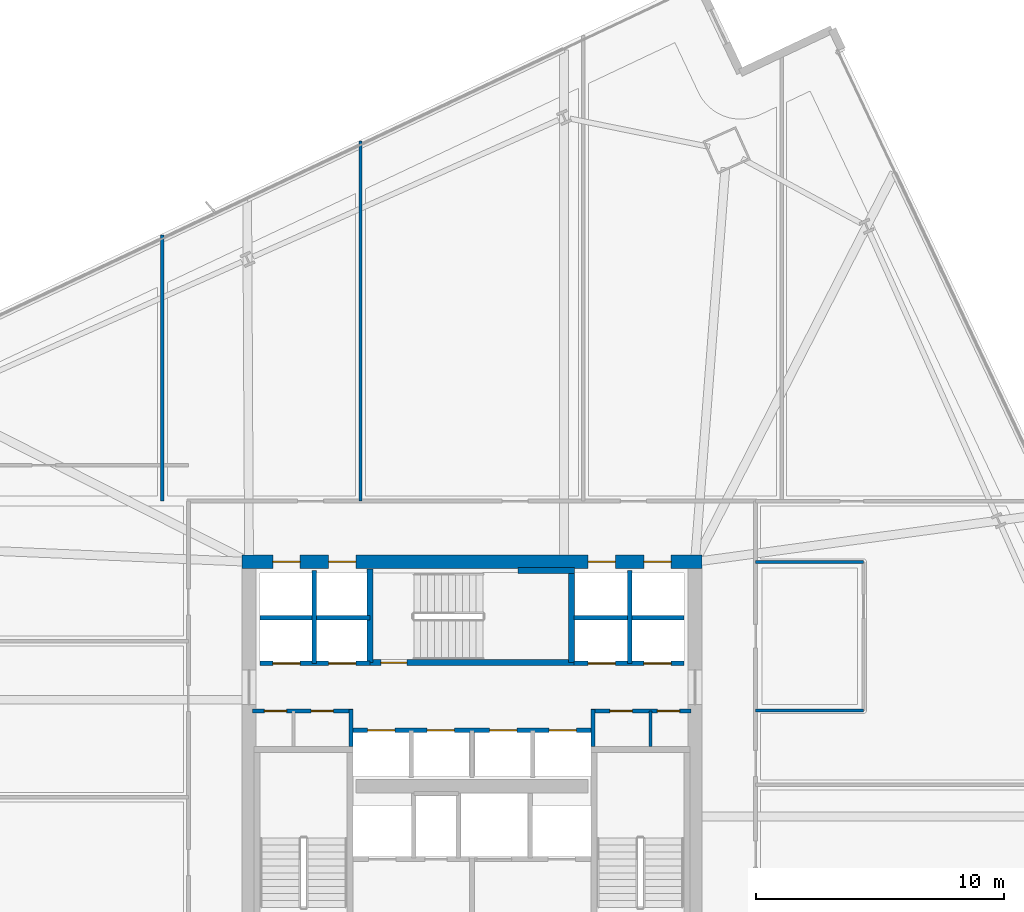
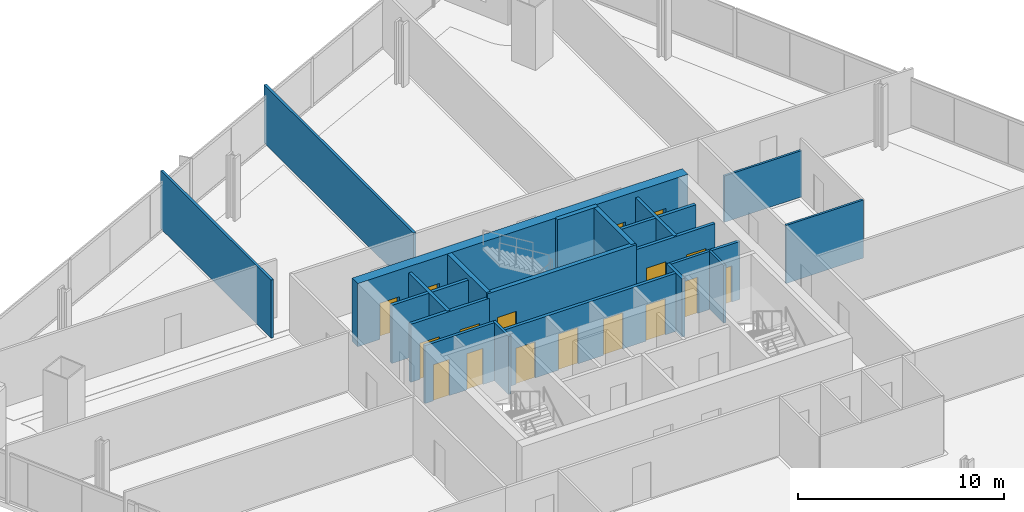
# One storey, part 27 of 34: 21 walls, 17 doors, 17 openings.
"""IFC4 building model written with IfcOpenShell, lengths in metres."""

from ifc_helpers import new_model, si_unit, direction, frame, frame_2d, origin, place, context, subcontext, project, spatial, rectangle, extrude, material, layer, layer_set, type_object, element, fill, save


model = new_model("IFC4")

# Units and contexts
model_context = context("Model", 3, precision=1e-05, world=origin(), true_north=direction((0.0, 1.0)))
body_context = subcontext(model_context, "Body", "Model", "MODEL_VIEW")
ifc_project = project(units=[si_unit("LENGTHUNIT", "METRE"), si_unit("AREAUNIT", "SQUARE_METRE"), si_unit("VOLUMEUNIT", "CUBIC_METRE"), si_unit("PLANEANGLEUNIT", "RADIAN"), si_unit("MASSUNIT", "GRAM", prefix="KILO")], contexts=[model_context])

# Site, building, storey
site_placement = place(None, origin())
site = spatial("IfcSite", under=ifc_project, at=site_placement, CompositionType="ELEMENT")
building_placement = place(site_placement, origin())
building = spatial("IfcBuilding", under=site, at=building_placement, Name="Haldenkirk Collegiate Tower", CompositionType="ELEMENT")
storey_placement = place(building_placement, frame((0.0, 0.0, 112.949951171875)))
storey = spatial("IfcBuildingStorey", under=building, at=storey_placement, Name="L27", CompositionType="ELEMENT", Elevation=112.949951171875)

# Wall, openings, doors
ifc_material_1 = material(Name="Concrete f'c 70 MPa", Category="concrete")
ifc_layer_1 = layer(ifc_material_1, 0.550048828125)
ifc_layer_set_1 = layer_set([ifc_layer_1], Name="Concrete f'c 70 MPa")
wall_type_1 = type_object("IfcWallType", Name="WL-CORE-550", PredefinedType="SHEAR", material=ifc_layer_set_1)
wall_1_placement = place(storey_placement, frame((26.72509765625, 34.0, 0.0), z_axis=(0.0, 0.0, 1.0), x_axis=(1.0, 0.0, 0.0)))
wall_1 = element("IfcWall", 1, at=wall_1_placement, inside=storey, type_object=wall_type_1, Name="L27 central core shear wall N", PredefinedType="SHEAR", context=body_context, shape_type="SweptSolid", body=[
    extrude(rectangle(XDim=18.5498046875, YDim=0.550048828125, at=frame_2d((9.27490234375, 0.0))), origin(), (0.0, 0.0, 1.0), 3.75),
])
opening_1_placement = place(wall_1_placement, frame((1.239990234375, 0.0, 0.0)))
opening_1 = element("IfcOpeningElement", 2, at=opening_1_placement, cuts=wall_1, Name="Opening LD-11", PredefinedType="OPENING", context=body_context, shape_type="SweptSolid", body=[
    extrude(rectangle(XDim=1.10009765625, YDim=2.14990234375, at=frame_2d((0.550048828125, 1.074951171875))), frame((0.0, 0.284912109375, 0.0), z_axis=(0.0, -1.0, 0.0), x_axis=(1.0, 0.0, 0.0)), (0.0, 0.0, 1.0), 0.570068359375),
])
opening_2_placement = place(wall_1_placement, frame((3.489990234375, 0.0, 0.0)))
opening_2 = element("IfcOpeningElement", 3, at=opening_2_placement, cuts=wall_1, Name="Opening LD-11", PredefinedType="OPENING", context=body_context, shape_type="SweptSolid", body=[
    extrude(rectangle(XDim=1.10009765625, YDim=2.14990234375, at=frame_2d((0.550048828125, 1.074951171875))), frame((0.0, 0.284912109375, 0.0), z_axis=(0.0, -1.0, 0.0), x_axis=(1.0, 0.0, 0.0)), (0.0, 0.0, 1.0), 0.570068359375),
])
opening_3_placement = place(wall_1_placement, frame((13.9599609375, 0.0, 0.0)))
opening_3 = element("IfcOpeningElement", 4, at=opening_3_placement, cuts=wall_1, Name="Opening LD-11", PredefinedType="OPENING", context=body_context, shape_type="SweptSolid", body=[
    extrude(rectangle(XDim=1.10009765625, YDim=2.14990234375, at=frame_2d((0.550048828125, 1.074951171875))), frame((0.0, 0.284912109375, 0.0), z_axis=(0.0, -1.0, 0.0), x_axis=(1.0, 0.0, 0.0)), (0.0, 0.0, 1.0), 0.570068359375),
])
opening_4_placement = place(wall_1_placement, frame((16.2099609375, 0.0, 0.0)))
opening_4 = element("IfcOpeningElement", 5, at=opening_4_placement, cuts=wall_1, Name="Opening LD-11", PredefinedType="OPENING", context=body_context, shape_type="SweptSolid", body=[
    extrude(rectangle(XDim=1.10009765625, YDim=2.14990234375, at=frame_2d((0.550048828125, 1.074951171875))), frame((0.0, 0.284912109375, 0.0), z_axis=(0.0, -1.0, 0.0), x_axis=(1.0, 0.0, 0.0)), (0.0, 0.0, 1.0), 0.570068359375),
])
ifc_material_2 = material(Name="Brushed architectural stainless steel", Category="steel")
ifc_layer_2 = layer(ifc_material_2, 0.06005859375)
ifc_layer_set_2 = layer_set([ifc_layer_2], Name="Brushed architectural stainless steel")
door_type_1 = type_object("IfcDoorType", Name="LD-PASS-1100", OperationType="NOTDEFINED", PredefinedType="DOOR", material=ifc_layer_set_2)
door_1_placement = place(opening_1_placement, origin())
door_1 = element("IfcDoor", 6, at=door_1_placement, inside=storey, type_object=door_type_1, Name="L27 Elevator PL3 sliding landing door", OperationType="SLIDING_TO_LEFT", OverallHeight=2.14990234375, OverallWidth=1.10009765625, PredefinedType="DOOR", context=body_context, shape_type="SweptSolid", body=[
    extrude(rectangle(XDim=1.10009765625, YDim=2.14990234375, at=frame_2d((0.550048828125, 1.074951171875))), frame((0.0, 0.02490234375, 0.0), z_axis=(0.0, -1.0, 0.0), x_axis=(1.0, 0.0, 0.0)), (0.0, 0.0, 1.0), 0.050048828125),
])
fill(opening_1, door_1)
door_2_placement = place(opening_2_placement, origin())
door_2 = element("IfcDoor", 7, at=door_2_placement, inside=storey, type_object=door_type_1, Name="L27 Elevator PL4 sliding landing door", OperationType="SLIDING_TO_LEFT", OverallHeight=2.14990234375, OverallWidth=1.10009765625, PredefinedType="DOOR", context=body_context, shape_type="SweptSolid", body=[
    extrude(rectangle(XDim=1.10009765625, YDim=2.14990234375, at=frame_2d((0.550048828125, 1.074951171875))), frame((0.0, 0.02490234375, 0.0), z_axis=(0.0, -1.0, 0.0), x_axis=(1.0, 0.0, 0.0)), (0.0, 0.0, 1.0), 0.050048828125),
])
fill(opening_2, door_2)
door_3_placement = place(opening_3_placement, origin())
door_3 = element("IfcDoor", 8, at=door_3_placement, inside=storey, type_object=door_type_1, Name="L27 Elevator PM3 sliding landing door", OperationType="SLIDING_TO_LEFT", OverallHeight=2.14990234375, OverallWidth=1.10009765625, PredefinedType="DOOR", context=body_context, shape_type="SweptSolid", body=[
    extrude(rectangle(XDim=1.10009765625, YDim=2.14990234375, at=frame_2d((0.550048828125, 1.074951171875))), frame((0.0, 0.02490234375, 0.0), z_axis=(0.0, -1.0, 0.0), x_axis=(1.0, 0.0, 0.0)), (0.0, 0.0, 1.0), 0.050048828125),
])
fill(opening_3, door_3)
door_4_placement = place(opening_4_placement, origin())
door_4 = element("IfcDoor", 9, at=door_4_placement, inside=storey, type_object=door_type_1, Name="L27 Elevator PM4 sliding landing door", OperationType="SLIDING_TO_LEFT", OverallHeight=2.14990234375, OverallWidth=1.10009765625, PredefinedType="DOOR", context=body_context, shape_type="SweptSolid", body=[
    extrude(rectangle(XDim=1.10009765625, YDim=2.14990234375, at=frame_2d((0.550048828125, 1.074951171875))), frame((0.0, 0.02490234375, 0.0), z_axis=(0.0, -1.0, 0.0), x_axis=(1.0, 0.0, 0.0)), (0.0, 0.0, 1.0), 0.050048828125),
])
fill(opening_4, door_4)

ifc_material_3 = material(Name="Acoustic fire-rated gypsum partition", Category="concrete")
ifc_layer_3 = layer(ifc_material_3, 0.159912109375)
ifc_layer_set_3 = layer_set([ifc_layer_3], Name="Acoustic fire-rated gypsum partition")
wall_type_2 = type_object("IfcWallType", Name="WL-INT-CORR-160", PredefinedType="PARTITIONING", material=ifc_layer_set_3)
wall_2_placement = place(storey_placement, frame((27.14990234375, 27.97998046875, 0.0), z_axis=(0.0, 0.0, 1.0), x_axis=(1.0, 0.0, 0.0)))
wall_2 = element("IfcWall", 10, at=wall_2_placement, inside=storey, type_object=wall_type_2, Name="L27 interior partition IW-L27-VCSW-N", PredefinedType="PARTITIONING", context=body_context, shape_type="SweptSolid", body=[
    extrude(rectangle(XDim=4.050048828125, YDim=0.159912109375, at=frame_2d((2.02490234375, 0.0))), origin(), (0.0, 0.0, 1.0), 3.449951171875),
])
opening_5_placement = place(wall_2_placement, frame((0.469970703125, 0.0, 0.0)))
opening_5 = element("IfcOpeningElement", 11, at=opening_5_placement, cuts=wall_2, Name="Opening D-11", PredefinedType="OPENING", context=body_context, shape_type="SweptSolid", body=[
    extrude(rectangle(XDim=0.89990234375, YDim=2.14990234375, at=frame_2d((0.449951171875, 1.074951171875))), frame((0.0, 0.08984375, 0.0), z_axis=(0.0, -1.0, 0.0), x_axis=(1.0, 0.0, 0.0)), (0.0, 0.0, 1.0), 0.179931640625),
])
opening_6_placement = place(wall_2_placement, frame((2.360107421875, 0.0, 0.0)))
opening_6 = element("IfcOpeningElement", 12, at=opening_6_placement, cuts=wall_2, Name="Opening D-11", PredefinedType="OPENING", context=body_context, shape_type="SweptSolid", body=[
    extrude(rectangle(XDim=0.89990234375, YDim=2.14990234375, at=frame_2d((0.449951171875, 1.074951171875))), frame((0.0, 0.08984375, 0.0), z_axis=(0.0, -1.0, 0.0), x_axis=(1.0, 0.0, 0.0)), (0.0, 0.0, 1.0), 0.179931640625),
])
ifc_material_4 = material(Name="Solid-core architectural oak fire door", Category="wood")
ifc_layer_4 = layer(ifc_material_4, 0.06005859375)
ifc_layer_set_4 = layer_set([ifc_layer_4], Name="Solid-core architectural oak fire door")
door_type_2 = type_object("IfcDoorType", Name="DR-INT-FD60-900", OperationType="NOTDEFINED", PredefinedType="DOOR", material=ifc_layer_set_4)
door_5_placement = place(opening_5_placement, origin())
door_5 = element("IfcDoor", 13, at=door_5_placement, inside=storey, type_object=door_type_2, Name="L27 core AV closet door", OperationType="SINGLE_SWING_LEFT", OverallHeight=2.14990234375, OverallWidth=0.89990234375, PredefinedType="DOOR", context=body_context, shape_type="SweptSolid", body=[
    extrude(rectangle(XDim=0.89990234375, YDim=2.14990234375, at=frame_2d((0.449951171875, 1.074951171875))), frame((0.0, 0.02490234375, 0.0), z_axis=(0.0, -1.0, 0.0), x_axis=(1.0, 0.0, 0.0)), (0.0, 0.0, 1.0), 0.050048828125),
])
fill(opening_5, door_5)
door_6_placement = place(opening_6_placement, origin())
door_6 = element("IfcDoor", 14, at=door_6_placement, inside=storey, type_object=door_type_2, Name="L27 core supply closet door", OperationType="SINGLE_SWING_RIGHT", OverallHeight=2.14990234375, OverallWidth=0.89990234375, PredefinedType="DOOR", context=body_context, shape_type="SweptSolid", body=[
    extrude(rectangle(XDim=0.89990234375, YDim=2.14990234375, at=frame_2d((0.449951171875, 1.074951171875))), frame((0.0, 0.02490234375, 0.0), z_axis=(0.0, -1.0, 0.0), x_axis=(1.0, 0.0, 0.0)), (0.0, 0.0, 1.0), 0.050048828125),
])
fill(opening_6, door_6)

# Wall
wall_3_placement = place(storey_placement, frame((31.1201171875, 26.5400390625, 0.0), z_axis=(0.0, 0.0, 1.0), x_axis=(0.0, 1.0, 0.0)))
element("IfcWall", 15, at=wall_3_placement, inside=storey, type_object=wall_type_2, Name="L27 interior partition IW-L27-VCSW-E", PredefinedType="PARTITIONING", context=body_context, shape_type="SweptSolid", body=[
    extrude(rectangle(XDim=1.510009765625, YDim=0.159912109375, at=frame_2d((0.7548828125, 0.0))), origin(), (0.0, 0.0, 1.0), 3.449951171875),
])

# Wall, openings, doors
wall_4_placement = place(storey_placement, frame((40.800048828125, 27.97998046875, 0.0), z_axis=(0.0, 0.0, 1.0), x_axis=(1.0, 0.0, 0.0)))
wall_4 = element("IfcWall", 16, at=wall_4_placement, inside=storey, type_object=wall_type_2, Name="L27 interior partition IW-L27-VCSE-N", PredefinedType="PARTITIONING", context=body_context, shape_type="SweptSolid", body=[
    extrude(rectangle(XDim=4.050048828125, YDim=0.159912109375, at=frame_2d((2.02490234375, 0.0))), origin(), (0.0, 0.0, 1.0), 3.449951171875),
])
opening_7_placement = place(wall_4_placement, frame((0.77001953125, 0.0, 0.0)))
opening_7 = element("IfcOpeningElement", 17, at=opening_7_placement, cuts=wall_4, Name="Opening D-11", PredefinedType="OPENING", context=body_context, shape_type="SweptSolid", body=[
    extrude(rectangle(XDim=0.89990234375, YDim=2.14990234375, at=frame_2d((0.449951171875, 1.074951171875))), frame((0.0, 0.08984375, 0.0), z_axis=(0.0, -1.0, 0.0), x_axis=(1.0, 0.0, 0.0)), (0.0, 0.0, 1.0), 0.179931640625),
])
opening_8_placement = place(wall_4_placement, frame((2.679931640625, 0.0, 0.0)))
opening_8 = element("IfcOpeningElement", 18, at=opening_8_placement, cuts=wall_4, Name="Opening D-11", PredefinedType="OPENING", context=body_context, shape_type="SweptSolid", body=[
    extrude(rectangle(XDim=0.89990234375, YDim=2.14990234375, at=frame_2d((0.449951171875, 1.074951171875))), frame((0.0, 0.08984375, 0.0), z_axis=(0.0, -1.0, 0.0), x_axis=(1.0, 0.0, 0.0)), (0.0, 0.0, 1.0), 0.179931640625),
])
door_7_placement = place(opening_7_placement, origin())
door_7 = element("IfcDoor", 19, at=door_7_placement, inside=storey, type_object=door_type_2, Name="L27 core archive door", OperationType="SINGLE_SWING_LEFT", OverallHeight=2.14990234375, OverallWidth=0.89990234375, PredefinedType="DOOR", context=body_context, shape_type="SweptSolid", body=[
    extrude(rectangle(XDim=0.89990234375, YDim=2.14990234375, at=frame_2d((0.449951171875, 1.074951171875))), frame((0.0, 0.02490234375, 0.0), z_axis=(0.0, -1.0, 0.0), x_axis=(1.0, 0.0, 0.0)), (0.0, 0.0, 1.0), 0.050048828125),
])
fill(opening_7, door_7)
door_8_placement = place(opening_8_placement, origin())
door_8 = element("IfcDoor", 20, at=door_8_placement, inside=storey, type_object=door_type_2, Name="L27 core telecom door", OperationType="SINGLE_SWING_RIGHT", OverallHeight=2.14990234375, OverallWidth=0.89990234375, PredefinedType="DOOR", context=body_context, shape_type="SweptSolid", body=[
    extrude(rectangle(XDim=0.89990234375, YDim=2.14990234375, at=frame_2d((0.449951171875, 1.074951171875))), frame((0.0, 0.02490234375, 0.0), z_axis=(0.0, -1.0, 0.0), x_axis=(1.0, 0.0, 0.0)), (0.0, 0.0, 1.0), 0.050048828125),
])
fill(opening_8, door_8)

# Walls
wall_5_placement = place(storey_placement, frame((40.8798828125, 26.5400390625, 0.0), z_axis=(0.0, 0.0, 1.0), x_axis=(0.0, 1.0, 0.0)))
element("IfcWall", 21, at=wall_5_placement, inside=storey, type_object=wall_type_2, Name="L27 interior partition IW-L27-VCSE-W", PredefinedType="PARTITIONING", context=body_context, shape_type="SweptSolid", body=[
    extrude(rectangle(XDim=1.510009765625, YDim=0.159912109375, at=frame_2d((0.7548828125, 0.0))), origin(), (0.0, 0.0, 1.0), 3.449951171875),
])
ifc_layer_5 = layer(ifc_material_3, 0.139892578125)
ifc_layer_set_5 = layer_set([ifc_layer_5], Name="Acoustic fire-rated gypsum partition")
wall_type_3 = type_object("IfcWallType", Name="WL-INT-DIV-140", PredefinedType="PARTITIONING", material=ifc_layer_set_5)
wall_6_placement = place(storey_placement, frame((23.5, 36.449951171875, 0.0), z_axis=(0.0, 0.0, 1.0), x_axis=(0.0, 1.0, 0.0)))
element("IfcWall", 22, at=wall_6_placement, inside=storey, type_object=wall_type_3, Name="L27 interior partition IW-L27-RN1", PredefinedType="PARTITIONING", context=body_context, shape_type="SweptSolid", body=[
    extrude(rectangle(XDim=10.751708984375, YDim=0.139892578125, at=frame_2d((5.3759765625, 0.0))), origin(), (0.0, 0.0, 1.0), 3.449951171875),
])
wall_7_placement = place(storey_placement, frame((31.5, 36.449951171875, 0.0), z_axis=(0.0, 0.0, 1.0), x_axis=(0.0, 1.0, 0.0)))
element("IfcWall", 23, at=wall_7_placement, inside=storey, type_object=wall_type_3, Name="L27 interior partition IW-L27-RN2", PredefinedType="PARTITIONING", context=body_context, shape_type="SweptSolid", body=[
    extrude(rectangle(XDim=14.533203125, YDim=0.139892578125, at=frame_2d((7.2666015625, 0.0))), origin(), (0.0, 0.0, 1.0), 3.449951171875),
])

# Wall, openings, doors
ifc_material_5 = material(Name="Fire-rated gypsum shaftboard assembly", Category="concrete")
ifc_layer_6 = layer(ifc_material_5, 0.179931640625)
ifc_layer_set_6 = layer_set([ifc_layer_6], Name="Fire-rated gypsum shaftboard assembly")
wall_type_4 = type_object("IfcWallType", Name="WL-INT-SHAFT-180", PredefinedType="PARTITIONING", material=ifc_layer_set_6)
wall_8_placement = place(storey_placement, frame((27.449951171875, 29.89990234375, 0.0), z_axis=(0.0, 0.0, 1.0), x_axis=(1.0, 0.0, 0.0)))
wall_8 = element("IfcWall", 24, at=wall_8_placement, inside=storey, type_object=wall_type_4, Name="L27 interior partition IW-L27-PLS", PredefinedType="PARTITIONING", context=body_context, shape_type="SweptSolid", body=[
    extrude(rectangle(XDim=4.429931640625, YDim=0.179931640625, at=frame_2d((2.21484375, 0.0))), origin(), (0.0, 0.0, 1.0), 3.449951171875),
])
opening_9_placement = place(wall_8_placement, frame((0.514892578125, 0.0, 0.0)))
opening_9 = element("IfcOpeningElement", 25, at=opening_9_placement, cuts=wall_8, Name="Opening LD-11", PredefinedType="OPENING", context=body_context, shape_type="SweptSolid", body=[
    extrude(rectangle(XDim=1.10009765625, YDim=2.14990234375, at=frame_2d((0.550048828125, 1.074951171875))), frame((0.0, 0.099853515625, 0.0), z_axis=(0.0, -1.0, 0.0), x_axis=(1.0, 0.0, 0.0)), (0.0, 0.0, 1.0), 0.199951171875),
])
opening_10_placement = place(wall_8_placement, frame((2.764892578125, 0.0, 0.0)))
opening_10 = element("IfcOpeningElement", 26, at=opening_10_placement, cuts=wall_8, Name="Opening LD-11", PredefinedType="OPENING", context=body_context, shape_type="SweptSolid", body=[
    extrude(rectangle(XDim=1.10009765625, YDim=2.14990234375, at=frame_2d((0.550048828125, 1.074951171875))), frame((0.0, 0.099853515625, 0.0), z_axis=(0.0, -1.0, 0.0), x_axis=(1.0, 0.0, 0.0)), (0.0, 0.0, 1.0), 0.199951171875),
])
door_9_placement = place(opening_9_placement, origin())
door_9 = element("IfcDoor", 27, at=door_9_placement, inside=storey, type_object=door_type_1, Name="L27 Elevator PL1 sliding landing door", OperationType="SLIDING_TO_LEFT", OverallHeight=2.14990234375, OverallWidth=1.10009765625, PredefinedType="DOOR", context=body_context, shape_type="SweptSolid", body=[
    extrude(rectangle(XDim=1.10009765625, YDim=2.14990234375, at=frame_2d((0.550048828125, 1.074951171875))), frame((0.0, 0.02490234375, 0.0), z_axis=(0.0, -1.0, 0.0), x_axis=(1.0, 0.0, 0.0)), (0.0, 0.0, 1.0), 0.050048828125),
])
fill(opening_9, door_9)
door_10_placement = place(opening_10_placement, origin())
door_10 = element("IfcDoor", 28, at=door_10_placement, inside=storey, type_object=door_type_1, Name="L27 Elevator PL2 sliding landing door", OperationType="SLIDING_TO_LEFT", OverallHeight=2.14990234375, OverallWidth=1.10009765625, PredefinedType="DOOR", context=body_context, shape_type="SweptSolid", body=[
    extrude(rectangle(XDim=1.10009765625, YDim=2.14990234375, at=frame_2d((0.550048828125, 1.074951171875))), frame((0.0, 0.02490234375, 0.0), z_axis=(0.0, -1.0, 0.0), x_axis=(1.0, 0.0, 0.0)), (0.0, 0.0, 1.0), 0.050048828125),
])
fill(opening_10, door_10)

# Walls
wall_9_placement = place(storey_placement, frame((27.449951171875, 31.75, 0.0), z_axis=(0.0, 0.0, 1.0), x_axis=(1.0, 0.0, 0.0)))
element("IfcWall", 29, at=wall_9_placement, inside=storey, type_object=wall_type_4, Name="L27 interior partition IW-L27-PLM", PredefinedType="PARTITIONING", context=body_context, shape_type="SweptSolid", body=[
    extrude(rectangle(XDim=4.429931640625, YDim=0.179931640625, at=frame_2d((2.21484375, 0.0))), origin(), (0.0, 0.0, 1.0), 3.449951171875),
])
wall_10_placement = place(storey_placement, frame((29.6298828125, 29.89990234375, 0.0), z_axis=(0.0, 0.0, 1.0), x_axis=(0.0, 1.0, 0.0)))
element("IfcWall", 30, at=wall_10_placement, inside=storey, type_object=wall_type_4, Name="L27 interior partition IW-L27-PLV", PredefinedType="PARTITIONING", context=body_context, shape_type="SweptSolid", body=[
    extrude(rectangle(XDim=3.75, YDim=0.179931640625, at=frame_2d((1.875, 0.0))), origin(), (0.0, 0.0, 1.0), 3.449951171875),
])

# Wall, openings, doors
wall_11_placement = place(storey_placement, frame((40.1201171875, 29.89990234375, 0.0), z_axis=(0.0, 0.0, 1.0), x_axis=(1.0, 0.0, 0.0)))
wall_11 = element("IfcWall", 31, at=wall_11_placement, inside=storey, type_object=wall_type_4, Name="L27 interior partition IW-L27-PMS", PredefinedType="PARTITIONING", context=body_context, shape_type="SweptSolid", body=[
    extrude(rectangle(XDim=4.429931640625, YDim=0.179931640625, at=frame_2d((2.21484375, 0.0))), origin(), (0.0, 0.0, 1.0), 3.449951171875),
])
opening_11_placement = place(wall_11_placement, frame((0.56494140625, 0.0, 0.0)))
opening_11 = element("IfcOpeningElement", 32, at=opening_11_placement, cuts=wall_11, Name="Opening LD-11", PredefinedType="OPENING", context=body_context, shape_type="SweptSolid", body=[
    extrude(rectangle(XDim=1.10009765625, YDim=2.14990234375, at=frame_2d((0.550048828125, 1.074951171875))), frame((0.0, 0.099853515625, 0.0), z_axis=(0.0, -1.0, 0.0), x_axis=(1.0, 0.0, 0.0)), (0.0, 0.0, 1.0), 0.199951171875),
])
opening_12_placement = place(wall_11_placement, frame((2.81494140625, 0.0, 0.0)))
opening_12 = element("IfcOpeningElement", 33, at=opening_12_placement, cuts=wall_11, Name="Opening LD-11", PredefinedType="OPENING", context=body_context, shape_type="SweptSolid", body=[
    extrude(rectangle(XDim=1.10009765625, YDim=2.14990234375, at=frame_2d((0.550048828125, 1.074951171875))), frame((0.0, 0.099853515625, 0.0), z_axis=(0.0, -1.0, 0.0), x_axis=(1.0, 0.0, 0.0)), (0.0, 0.0, 1.0), 0.199951171875),
])
door_11_placement = place(opening_11_placement, origin())
door_11 = element("IfcDoor", 34, at=door_11_placement, inside=storey, type_object=door_type_1, Name="L27 Elevator PM1 sliding landing door", OperationType="SLIDING_TO_LEFT", OverallHeight=2.14990234375, OverallWidth=1.10009765625, PredefinedType="DOOR", context=body_context, shape_type="SweptSolid", body=[
    extrude(rectangle(XDim=1.10009765625, YDim=2.14990234375, at=frame_2d((0.550048828125, 1.074951171875))), frame((0.0, 0.02490234375, 0.0), z_axis=(0.0, -1.0, 0.0), x_axis=(1.0, 0.0, 0.0)), (0.0, 0.0, 1.0), 0.050048828125),
])
fill(opening_11, door_11)
door_12_placement = place(opening_12_placement, origin())
door_12 = element("IfcDoor", 35, at=door_12_placement, inside=storey, type_object=door_type_1, Name="L27 Elevator PM2 sliding landing door", OperationType="SLIDING_TO_LEFT", OverallHeight=2.14990234375, OverallWidth=1.10009765625, PredefinedType="DOOR", context=body_context, shape_type="SweptSolid", body=[
    extrude(rectangle(XDim=1.10009765625, YDim=2.14990234375, at=frame_2d((0.550048828125, 1.074951171875))), frame((0.0, 0.02490234375, 0.0), z_axis=(0.0, -1.0, 0.0), x_axis=(1.0, 0.0, 0.0)), (0.0, 0.0, 1.0), 0.050048828125),
])
fill(opening_12, door_12)

# Walls
wall_12_placement = place(storey_placement, frame((40.1201171875, 31.75, 0.0), z_axis=(0.0, 0.0, 1.0), x_axis=(1.0, 0.0, 0.0)))
element("IfcWall", 36, at=wall_12_placement, inside=storey, type_object=wall_type_4, Name="L27 interior partition IW-L27-PMM", PredefinedType="PARTITIONING", context=body_context, shape_type="SweptSolid", body=[
    extrude(rectangle(XDim=4.429931640625, YDim=0.179931640625, at=frame_2d((2.21484375, 0.0))), origin(), (0.0, 0.0, 1.0), 3.449951171875),
])
wall_13_placement = place(storey_placement, frame((42.3701171875, 29.89990234375, 0.0), z_axis=(0.0, 0.0, 1.0), x_axis=(0.0, 1.0, 0.0)))
element("IfcWall", 37, at=wall_13_placement, inside=storey, type_object=wall_type_4, Name="L27 interior partition IW-L27-PMV", PredefinedType="PARTITIONING", context=body_context, shape_type="SweptSolid", body=[
    extrude(rectangle(XDim=3.75, YDim=0.179931640625, at=frame_2d((1.875, 0.0))), origin(), (0.0, 0.0, 1.0), 3.449951171875),
])

# Wall, openings, doors
wall_14_placement = place(storey_placement, frame((31.199951171875, 27.199951171875, 0.0), z_axis=(0.0, 0.0, 1.0), x_axis=(1.0, 0.0, 0.0)))
wall_14 = element("IfcWall", 38, at=wall_14_placement, inside=storey, type_object=wall_type_4, Name="L27 interior partition IW-L27-PHN", PredefinedType="PARTITIONING", context=body_context, shape_type="SweptSolid", body=[
    extrude(rectangle(XDim=9.60009765625, YDim=0.179931640625, at=frame_2d((4.800048828125, 0.0))), origin(), (0.0, 0.0, 1.0), 3.449951171875),
])
opening_13_placement = place(wall_14_placement, frame((0.590087890625, 0.0, 0.0)))
opening_13 = element("IfcOpeningElement", 39, at=opening_13_placement, cuts=wall_14, Name="Opening LD-11", PredefinedType="OPENING", context=body_context, shape_type="SweptSolid", body=[
    extrude(rectangle(XDim=1.10009765625, YDim=2.14990234375, at=frame_2d((0.550048828125, 1.074951171875))), frame((0.0, 0.099853515625, 0.0), z_axis=(0.0, -1.0, 0.0), x_axis=(1.0, 0.0, 0.0)), (0.0, 0.0, 1.0), 0.199951171875),
])
opening_14_placement = place(wall_14_placement, frame((2.989990234375, 0.0, 0.0)))
opening_14 = element("IfcOpeningElement", 40, at=opening_14_placement, cuts=wall_14, Name="Opening LD-11", PredefinedType="OPENING", context=body_context, shape_type="SweptSolid", body=[
    extrude(rectangle(XDim=1.10009765625, YDim=2.14990234375, at=frame_2d((0.550048828125, 1.074951171875))), frame((0.0, 0.099853515625, 0.0), z_axis=(0.0, -1.0, 0.0), x_axis=(1.0, 0.0, 0.0)), (0.0, 0.0, 1.0), 0.199951171875),
])
opening_15_placement = place(wall_14_placement, frame((5.510009765625, 0.0, 0.0)))
opening_15 = element("IfcOpeningElement", 41, at=opening_15_placement, cuts=wall_14, Name="Opening LD-11", PredefinedType="OPENING", context=body_context, shape_type="SweptSolid", body=[
    extrude(rectangle(XDim=1.10009765625, YDim=2.14990234375, at=frame_2d((0.550048828125, 1.074951171875))), frame((0.0, 0.099853515625, 0.0), z_axis=(0.0, -1.0, 0.0), x_axis=(1.0, 0.0, 0.0)), (0.0, 0.0, 1.0), 0.199951171875),
])
opening_16_placement = place(wall_14_placement, frame((7.909912109375, 0.0, 0.0)))
opening_16 = element("IfcOpeningElement", 42, at=opening_16_placement, cuts=wall_14, Name="Opening LD-11", PredefinedType="OPENING", context=body_context, shape_type="SweptSolid", body=[
    extrude(rectangle(XDim=1.10009765625, YDim=2.14990234375, at=frame_2d((0.550048828125, 1.074951171875))), frame((0.0, 0.099853515625, 0.0), z_axis=(0.0, -1.0, 0.0), x_axis=(1.0, 0.0, 0.0)), (0.0, 0.0, 1.0), 0.199951171875),
])
door_13_placement = place(opening_13_placement, origin())
door_13 = element("IfcDoor", 43, at=door_13_placement, inside=storey, type_object=door_type_1, Name="L27 Elevator PH1 sliding landing door", OperationType="SLIDING_TO_LEFT", OverallHeight=2.14990234375, OverallWidth=1.10009765625, PredefinedType="DOOR", context=body_context, shape_type="SweptSolid", body=[
    extrude(rectangle(XDim=1.10009765625, YDim=2.14990234375, at=frame_2d((0.550048828125, 1.074951171875))), frame((0.0, 0.02490234375, 0.0), z_axis=(0.0, -1.0, 0.0), x_axis=(1.0, 0.0, 0.0)), (0.0, 0.0, 1.0), 0.050048828125),
])
fill(opening_13, door_13)
door_14_placement = place(opening_14_placement, origin())
door_14 = element("IfcDoor", 44, at=door_14_placement, inside=storey, type_object=door_type_1, Name="L27 Elevator PH2 sliding landing door", OperationType="SLIDING_TO_LEFT", OverallHeight=2.14990234375, OverallWidth=1.10009765625, PredefinedType="DOOR", context=body_context, shape_type="SweptSolid", body=[
    extrude(rectangle(XDim=1.10009765625, YDim=2.14990234375, at=frame_2d((0.550048828125, 1.074951171875))), frame((0.0, 0.02490234375, 0.0), z_axis=(0.0, -1.0, 0.0), x_axis=(1.0, 0.0, 0.0)), (0.0, 0.0, 1.0), 0.050048828125),
])
fill(opening_14, door_14)
door_15_placement = place(opening_15_placement, origin())
door_15 = element("IfcDoor", 45, at=door_15_placement, inside=storey, type_object=door_type_1, Name="L27 Elevator PH3 sliding landing door", OperationType="SLIDING_TO_LEFT", OverallHeight=2.14990234375, OverallWidth=1.10009765625, PredefinedType="DOOR", context=body_context, shape_type="SweptSolid", body=[
    extrude(rectangle(XDim=1.10009765625, YDim=2.14990234375, at=frame_2d((0.550048828125, 1.074951171875))), frame((0.0, 0.02490234375, 0.0), z_axis=(0.0, -1.0, 0.0), x_axis=(1.0, 0.0, 0.0)), (0.0, 0.0, 1.0), 0.050048828125),
])
fill(opening_15, door_15)
door_16_placement = place(opening_16_placement, origin())
door_16 = element("IfcDoor", 46, at=door_16_placement, inside=storey, type_object=door_type_1, Name="L27 Elevator PH4 sliding landing door", OperationType="SLIDING_TO_LEFT", OverallHeight=2.14990234375, OverallWidth=1.10009765625, PredefinedType="DOOR", context=body_context, shape_type="SweptSolid", body=[
    extrude(rectangle(XDim=1.10009765625, YDim=2.14990234375, at=frame_2d((0.550048828125, 1.074951171875))), frame((0.0, 0.02490234375, 0.0), z_axis=(0.0, -1.0, 0.0), x_axis=(1.0, 0.0, 0.0)), (0.0, 0.0, 1.0), 0.050048828125),
])
fill(opening_16, door_16)

# Walls
ifc_layer_7 = layer(ifc_material_3, 0.1201171875)
ifc_layer_set_7 = layer_set([ifc_layer_7], Name="Acoustic fire-rated gypsum partition")
wall_type_5 = type_object("IfcWallType", Name="WL-INT-WET-120", PredefinedType="PARTITIONING", material=ifc_layer_set_7)
wall_15_placement = place(storey_placement, frame((43.199951171875, 26.5400390625, 0.0), z_axis=(0.0, 0.0, 1.0), x_axis=(0.0, 1.0, 0.0)))
element("IfcWall", 47, at=wall_15_placement, inside=storey, type_object=wall_type_5, Name="L27 interior partition IW-L27-VCSE-M", PredefinedType="PARTITIONING", context=body_context, shape_type="SweptSolid", body=[
    extrude(rectangle(XDim=1.43994140625, YDim=0.1201171875, at=frame_2d((0.719970703125, 0.0))), origin(), (0.0, 0.0, 1.0), 3.449951171875),
])
wall_16_placement = place(storey_placement, frame((47.449951171875, 34.0, 0.0), z_axis=(0.0, 0.0, 1.0), x_axis=(1.0, 0.0, 0.0)))
element("IfcWall", 48, at=wall_16_placement, inside=storey, type_object=wall_type_5, Name="L27 interior partition IW-L27-SUBEN", PredefinedType="PARTITIONING", context=body_context, shape_type="SweptSolid", body=[
    extrude(rectangle(XDim=4.35009765625, YDim=0.1201171875, at=frame_2d((2.175048828125, 0.0))), origin(), (0.0, 0.0, 1.0), 2.7490234375),
])
wall_17_placement = place(storey_placement, frame((47.449951171875, 28.0, 0.0), z_axis=(0.0, 0.0, 1.0), x_axis=(1.0, 0.0, 0.0)))
element("IfcWall", 49, at=wall_17_placement, inside=storey, type_object=wall_type_5, Name="L27 interior partition IW-L27-SUBES", PredefinedType="PARTITIONING", context=body_context, shape_type="SweptSolid", body=[
    extrude(rectangle(XDim=4.35009765625, YDim=0.1201171875, at=frame_2d((2.175048828125, 0.0))), origin(), (0.0, 0.0, 1.0), 3.449951171875),
])

# Wall, opening, door
ifc_material_6 = material(Name="Concrete f'c 55 MPa", Category="concrete")
ifc_layer_8 = layer(ifc_material_6, 0.239990234375)
ifc_layer_set_8 = layer_set([ifc_layer_8], Name="Concrete f'c 55 MPa")
wall_type_6 = type_object("IfcWallType", Name="WL-SHAFT-240", PredefinedType="SHEAR", material=ifc_layer_set_8)
wall_18_placement = place(storey_placement, frame((31.760009765625, 29.929931640625, 0.0), z_axis=(0.0, 0.0, 1.0), x_axis=(1.0, 0.0, 0.0)))
wall_18 = element("IfcWall", 50, at=wall_18_placement, inside=storey, type_object=wall_type_6, Name="L27 stair shaft shear wall SW-L27-ST3S", PredefinedType="SHEAR", context=body_context, shape_type="SweptSolid", body=[
    extrude(rectangle(XDim=8.3798828125, YDim=0.239990234375, at=frame_2d((4.18994140625, 0.0))), origin(), (0.0, 0.0, 1.0), 3.75),
])
opening_17_placement = place(wall_18_placement, frame((0.56494140625, 0.0, 0.0)))
opening_17 = element("IfcOpeningElement", 51, at=opening_17_placement, cuts=wall_18, Name="Opening D-01", PredefinedType="OPENING", context=body_context, shape_type="SweptSolid", body=[
    extrude(rectangle(XDim=1.050048828125, YDim=2.14990234375, at=frame_2d((0.52490234375, 1.074951171875))), frame((0.0, 0.1298828125, 0.0), z_axis=(0.0, -1.0, 0.0), x_axis=(1.0, 0.0, 0.0)), (0.0, 0.0, 1.0), 0.260009765625),
])
ifc_material_7 = material(Name="Galvanized fire-rated hollow steel door", Category="steel")
ifc_layer_9 = layer(ifc_material_7, 0.06005859375)
ifc_layer_set_9 = layer_set([ifc_layer_9], Name="Galvanized fire-rated hollow steel door")
door_type_3 = type_object("IfcDoorType", Name="DR-STAIR-FD90-1050", OperationType="NOTDEFINED", PredefinedType="DOOR", material=ifc_layer_set_9)
door_17_placement = place(opening_17_placement, origin())
door_17 = element("IfcDoor", 52, at=door_17_placement, inside=storey, type_object=door_type_3, Name="L27 lift lobby Stair 3 door", OperationType="SINGLE_SWING_LEFT", OverallHeight=2.14990234375, OverallWidth=1.050048828125, PredefinedType="DOOR", context=body_context, shape_type="SweptSolid", body=[
    extrude(rectangle(XDim=1.050048828125, YDim=2.14990234375, at=frame_2d((0.52490234375, 1.074951171875))), frame((0.0, 0.02490234375, 0.0), z_axis=(0.0, -1.0, 0.0), x_axis=(1.0, 0.0, 0.0)), (0.0, 0.0, 1.0), 0.050048828125),
])
fill(opening_17, door_17)

# Walls
wall_19_placement = place(storey_placement, frame((31.8798828125, 29.929931640625, 0.0), z_axis=(0.0, 0.0, 1.0), x_axis=(0.0, 1.0, 0.0)))
element("IfcWall", 53, at=wall_19_placement, inside=storey, type_object=wall_type_6, Name="L27 stair shaft shear wall SW-L27-ST3W", PredefinedType="SHEAR", context=body_context, shape_type="SweptSolid", body=[
    extrude(rectangle(XDim=3.7900390625, YDim=0.239990234375, at=frame_2d((1.89501953125, 0.0))), origin(), (0.0, 0.0, 1.0), 3.75),
])
wall_20_placement = place(storey_placement, frame((40.02001953125, 29.929931640625, 0.0), z_axis=(0.0, 0.0, 1.0), x_axis=(0.0, 1.0, 0.0)))
element("IfcWall", 54, at=wall_20_placement, inside=storey, type_object=wall_type_6, Name="L27 stair shaft shear wall SW-L27-ST3E", PredefinedType="SHEAR", context=body_context, shape_type="SweptSolid", body=[
    extrude(rectangle(XDim=3.85009765625, YDim=0.239990234375, at=frame_2d((1.925048828125, 0.0))), origin(), (0.0, 0.0, 1.0), 3.75),
])
wall_21_placement = place(storey_placement, frame((37.85009765625, 33.659912109375, 0.0), z_axis=(0.0, 0.0, 1.0), x_axis=(1.0, 0.0, 0.0)))
element("IfcWall", 55, at=wall_21_placement, inside=storey, type_object=wall_type_6, Name="L27 stair shaft shear wall SW-L27-ST3N", PredefinedType="SHEAR", context=body_context, shape_type="SweptSolid", body=[
    extrude(rectangle(XDim=2.289794921875, YDim=0.239990234375, at=frame_2d((1.14501953125, 0.0))), origin(), (0.0, 0.0, 1.0), 3.75),
])

save(model, "model.ifc")
